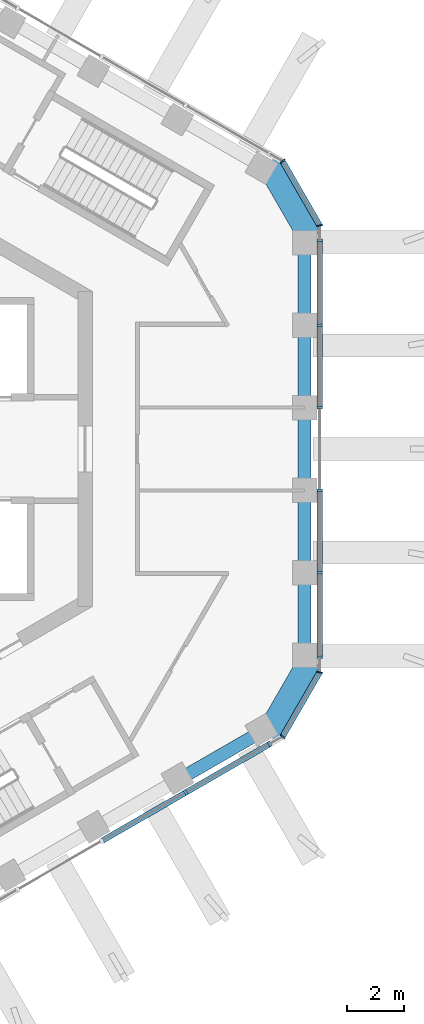
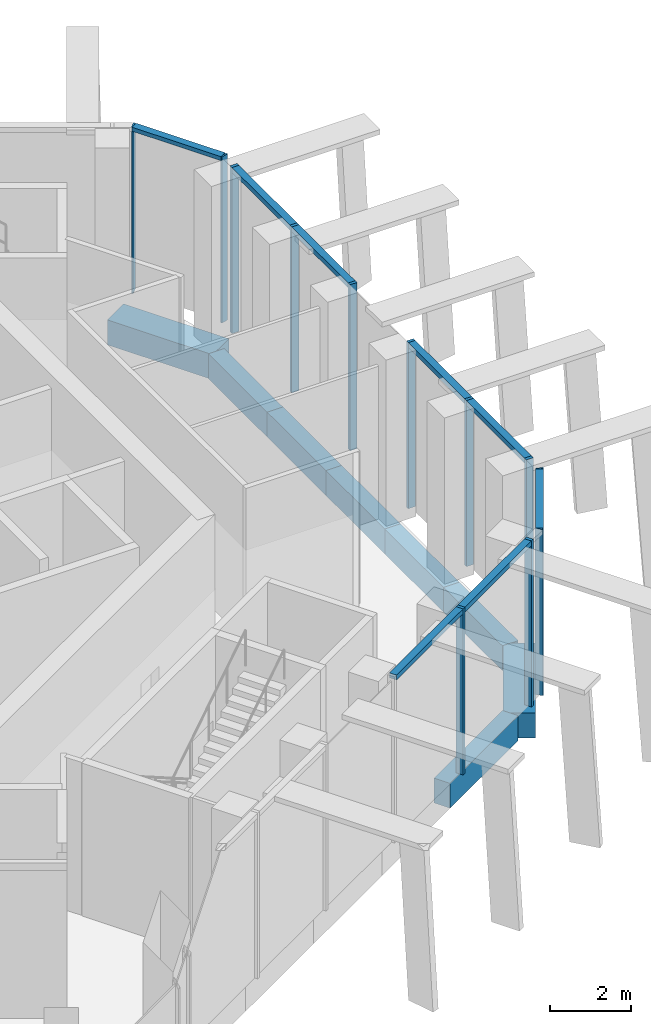
# One storey, part 4 of 17: 17 members, 8 beams, 4 elements without a shape of their own.
"""IFC4 building model written with IfcOpenShell, lengths in metres."""

from ifc_helpers import new_model, si_unit, direction, frame, origin, origin_2d, place, context, subcontext, project, spatial, rectangle, extrude, material, layer, layer_set, material_profile, profile_set, type_object, element, aggregate, save


model = new_model("IFC4")

# Units and contexts
model_context = context("Model", 3, precision=1e-05, world=origin(), true_north=direction((0.0, 1.0)))
body_context = subcontext(model_context, "Body", "Model", "MODEL_VIEW")
ifc_project = project(units=[si_unit("LENGTHUNIT", "METRE"), si_unit("AREAUNIT", "SQUARE_METRE"), si_unit("VOLUMEUNIT", "CUBIC_METRE"), si_unit("PLANEANGLEUNIT", "RADIAN"), si_unit("MASSUNIT", "GRAM", prefix="KILO")], contexts=[model_context])

# Site, building, storey
site_placement = place(None, origin())
site = spatial("IfcSite", under=ifc_project, at=site_placement, CompositionType="ELEMENT")
building_placement = place(site_placement, origin())
building = spatial("IfcBuilding", under=site, at=building_placement, Name="Ayvan Gate Tower", CompositionType="ELEMENT")
storey_placement = place(building_placement, frame((0.0, 0.0, 257.89990234375)))
storey = spatial("IfcBuildingStorey", under=building, at=storey_placement, Name="L69", CompositionType="ELEMENT", Elevation=257.89990234375)

# Beams
ifc_material_1 = material(Name="Concrete C40/50", Category="concrete")
ifc_material_profile_1 = material_profile(ifc_material_1, rectangle(XDim=0.800048828125, YDim=0.75, at=origin_2d()), Name="RC 800x750")
ifc_profile_set_1 = profile_set([ifc_material_profile_1], Name="Concrete C40/50")
beam_type_1 = type_object("IfcBeamType", Name="Corner spandrel beam RC 800x750 C40/50", PredefinedType="BEAM", material=ifc_profile_set_1)
for number, where, z_axis, x_axis, name in (
    (1, (17.078125, 7.357421875, -0.77490234375), (-0.499990139034, 0.866031096941, 0.0), (-0.866031096941, -0.499990139034, 0.0), "SB-L69-6"),
    (2, (15.578125, -9.95556640625, -0.77490234375), (0.499990139034, 0.866031096941, 0.0), (-0.866031096941, 0.499990139034, 0.0), "SB-L69-36"),
):
    element("IfcBeam", number, at=place(storey_placement, frame(where, z_axis=z_axis, x_axis=x_axis)), inside=storey, type_object=beam_type_1, Name=name, PredefinedType="BEAM", context=body_context, shape_type="SweptSolid", body=[
        extrude(rectangle(XDim=0.800048828125, YDim=0.75, at=origin_2d()), origin(), (0.0, 0.0, 1.0), 3.0),
    ])
ifc_material_profile_2 = material_profile(ifc_material_1, rectangle(XDim=0.449951171875, YDim=0.75, at=origin_2d()), Name="RC 450x750")
ifc_profile_set_2 = profile_set([ifc_material_profile_2], Name="Concrete C40/50")
beam_type_2 = type_object("IfcBeamType", Name="Spandrel beam RC 450x750 C40/50", PredefinedType="BEAM", material=ifc_profile_set_2)
beam_1_placement = place(storey_placement, frame((16.887451171875, -7.24755859375, -0.77490234375), z_axis=(0.0, 1.0, 0.0), x_axis=(-1.0, 0.0, 0.0)))
element("IfcBeam", 3, at=beam_1_placement, inside=storey, type_object=beam_type_2, Name="SB-L69-1", PredefinedType="BEAM", context=body_context, shape_type="SweptSolid", body=[
    extrude(rectangle(XDim=0.449951171875, YDim=0.75, at=origin_2d()), origin(), (0.0, 0.0, 1.0), 2.899169921875),
])
for number, where, z_axis, x_axis, name in (
    (4, (16.887451171875, -4.348388671875, -0.77490234375), (0.0, 1.0, 0.0), (-1.0, 0.0, 0.0), "SB-L69-2"),
    (5, (16.887451171875, -1.449462890625, -0.77490234375), (0.0, 1.0, 0.0), (-1.0, 0.0, 0.0), "SB-L69-3"),
    (6, (16.887451171875, 1.449462890625, -0.77490234375), (0.0, 1.0, 0.0), (-1.0, 0.0, 0.0), "SB-L69-4"),
):
    element("IfcBeam", number, at=place(storey_placement, frame(where, z_axis=z_axis, x_axis=x_axis)), inside=storey, type_object=beam_type_2, Name=name, PredefinedType="BEAM", context=body_context, shape_type="SweptSolid", body=[
        extrude(rectangle(XDim=0.449951171875, YDim=0.75, at=origin_2d()), origin(), (0.0, 0.0, 1.0), 2.89892578125),
    ])
beam_2_placement = place(storey_placement, frame((16.887451171875, 4.348388671875, -0.77490234375), z_axis=(0.0, 1.0, 0.0), x_axis=(-1.0, 0.0, 0.0)))
element("IfcBeam", 7, at=beam_2_placement, inside=storey, type_object=beam_type_2, Name="SB-L69-5", PredefinedType="BEAM", context=body_context, shape_type="SweptSolid", body=[
    extrude(rectangle(XDim=0.449951171875, YDim=0.75, at=origin_2d()), origin(), (0.0, 0.0, 1.0), 2.899169921875),
])
beam_3_placement = place(storey_placement, frame((12.4765625, -11.526123046875, -0.77490234375), z_axis=(0.866048906135, 0.499959290525, 0.0), x_axis=(-0.499959290525, 0.866048906135, 0.0)))
element("IfcBeam", 8, at=beam_3_placement, inside=storey, type_object=beam_type_2, Name="SB-L69-35", PredefinedType="BEAM", context=body_context, shape_type="SweptSolid", body=[
    extrude(rectangle(XDim=0.449951171875, YDim=0.75, at=origin_2d()), origin(), (0.0, 0.0, 1.0), 3.361083984375),
])

# Curtain wall, members
ifc_material_2 = material(Name="Bronze anodised aluminium", Category="aluminium")
ifc_layer_1 = layer(ifc_material_2, 0.199951171875)
ifc_layer_set_1 = layer_set([ifc_layer_1], Name="Bronze anodised aluminium")
curtain_wall_type_1 = type_object("IfcCurtainWallType", Name="Stick curtain wall CW-5", PredefinedType="NOTDEFINED", material=ifc_layer_set_1)
curtain_wall_1_placement = place(storey_placement, origin())
curtain_wall_1 = element("IfcCurtainWall", 9, at=curtain_wall_1_placement, inside=storey, type_object=curtain_wall_type_1, Name="Stick curtain wall CW-5 L69", PredefinedType="NOTDEFINED")
ifc_material_profile_3 = material_profile(ifc_material_2, rectangle(XDim=0.199951171875, YDim=0.090087890625, at=origin_2d()), Name="Stick curtain wall CW-5 mullion 200 x 90")
ifc_profile_set_3 = profile_set([ifc_material_profile_3], Name="Bronze anodised aluminium")
member_type_1 = type_object("IfcMemberType", Name="Stick curtain wall CW-5 mullion 200 x 90", PredefinedType="MULLION", material=ifc_profile_set_3)
member_1_placement = place(storey_placement, frame((12.74951171875, -11.959228515625, 0.0), z_axis=(0.0, 0.0, 1.0), x_axis=(0.5, -0.866025403784, 0.0)))
member_1 = element("IfcMember", 10, at=member_1_placement, type_object=member_type_1, Name="CW-5 mullion 5", PredefinedType="MULLION", context=body_context, shape_type="SweptSolid", body=[
    extrude(rectangle(XDim=0.199951171875, YDim=0.090087890625, at=origin_2d()), origin(), (0.0, 0.0, 1.0), 5.0),
])
member_2_placement = place(storey_placement, frame((15.6708984375, -10.2724609375, 0.0), z_axis=(0.0, 0.0, 1.0), x_axis=(0.5, -0.866025403784, 0.0)))
member_2 = element("IfcMember", 11, at=member_2_placement, type_object=member_type_1, Name="CW-5 mullion 6", PredefinedType="MULLION", context=body_context, shape_type="SweptSolid", body=[
    extrude(rectangle(XDim=0.199951171875, YDim=0.090087890625, at=origin_2d()), origin(), (0.0, 0.0, 1.0), 5.0),
])

curtain_wall_2_placement = place(storey_placement, origin())
curtain_wall_2 = element("IfcCurtainWall", 12, at=curtain_wall_2_placement, inside=storey, type_object=curtain_wall_type_1, Name="Stick curtain wall CW-5 L69", PredefinedType="NOTDEFINED")
member_3_placement = place(storey_placement, frame((17.41259765625, -7.256103515625, 0.0), z_axis=(0.0, 0.0, 1.0), x_axis=(1.0, 0.0, 0.0)))
member_3 = element("IfcMember", 13, at=member_3_placement, type_object=member_type_1, Name="CW-5 mullion 1", PredefinedType="MULLION", context=body_context, shape_type="SweptSolid", body=[
    extrude(rectangle(XDim=0.199951171875, YDim=0.090087890625, at=origin_2d()), origin(), (0.0, 0.0, 1.0), 5.0),
])
member_4_placement = place(storey_placement, frame((17.41259765625, -4.30908203125, 0.0), z_axis=(0.0, 0.0, 1.0), x_axis=(1.0, 0.0, 0.0)))
member_4 = element("IfcMember", 14, at=member_4_placement, type_object=member_type_1, Name="CW-5 mullion 2", PredefinedType="MULLION", context=body_context, shape_type="SweptSolid", body=[
    extrude(rectangle(XDim=0.199951171875, YDim=0.090087890625, at=origin_2d()), origin(), (0.0, 0.0, 1.0), 5.0),
])
member_5_placement = place(storey_placement, frame((17.41259765625, -1.43603515625, 0.0), z_axis=(0.0, 0.0, 1.0), x_axis=(1.0, 0.0, 0.0)))
member_5 = element("IfcMember", 15, at=member_5_placement, type_object=member_type_1, Name="CW-5 mullion 3", PredefinedType="MULLION", context=body_context, shape_type="SweptSolid", body=[
    extrude(rectangle(XDim=0.199951171875, YDim=0.090087890625, at=origin_2d()), origin(), (0.0, 0.0, 1.0), 5.0),
])
member_6_placement = place(storey_placement, frame((17.41259765625, 1.43603515625, 0.0), z_axis=(0.0, 0.0, 1.0), x_axis=(1.0, 0.0, 0.0)))
member_6 = element("IfcMember", 16, at=member_6_placement, type_object=member_type_1, Name="CW-5 mullion 4", PredefinedType="MULLION", context=body_context, shape_type="SweptSolid", body=[
    extrude(rectangle(XDim=0.199951171875, YDim=0.090087890625, at=origin_2d()), origin(), (0.0, 0.0, 1.0), 5.0),
])
member_7_placement = place(storey_placement, frame((17.41259765625, 4.30908203125, 0.0), z_axis=(0.0, 0.0, 1.0), x_axis=(1.0, 0.0, 0.0)))
member_7 = element("IfcMember", 17, at=member_7_placement, type_object=member_type_1, Name="CW-5 mullion 5", PredefinedType="MULLION", context=body_context, shape_type="SweptSolid", body=[
    extrude(rectangle(XDim=0.199951171875, YDim=0.090087890625, at=origin_2d()), origin(), (0.0, 0.0, 1.0), 5.0),
])
member_8_placement = place(storey_placement, frame((17.41259765625, 7.256103515625, 0.0), z_axis=(0.0, 0.0, 1.0), x_axis=(1.0, 0.0, 0.0)))
member_8 = element("IfcMember", 18, at=member_8_placement, type_object=member_type_1, Name="CW-5 mullion 6", PredefinedType="MULLION", context=body_context, shape_type="SweptSolid", body=[
    extrude(rectangle(XDim=0.199951171875, YDim=0.090087890625, at=origin_2d()), origin(), (0.0, 0.0, 1.0), 5.0),
])

# Member
ifc_material_profile_4 = material_profile(ifc_material_2, rectangle(XDim=0.199951171875, YDim=0.14990234375, at=origin_2d()), Name="Stick curtain wall CW-5 transom 200 x 150")
ifc_profile_set_4 = profile_set([ifc_material_profile_4], Name="Bronze anodised aluminium")
member_type_2 = type_object("IfcMemberType", Name="Stick curtain wall CW-5 transom 200 x 150", PredefinedType="USERDEFINED", material=ifc_profile_set_4)
member_9_placement = place(storey_placement, frame((9.86572265625, -13.624267578125, 4.925048828125), z_axis=(0.866013334258, 0.500020904451, 0.0), x_axis=(-0.500020904451, 0.866013334258, 0.0)))
member_9 = element("IfcMember", 19, at=member_9_placement, type_object=member_type_2, Name="CW-5 transom 2", ObjectType="TRANSOM", PredefinedType="USERDEFINED", context=body_context, shape_type="SweptSolid", body=[
    extrude(rectangle(XDim=0.199951171875, YDim=0.14990234375, at=origin_2d()), origin(), (0.0, 0.0, 1.0), 6.703369140625),
])

aggregate(curtain_wall_1, [member_1, member_2, member_9])

member_10_placement = place(storey_placement, frame((17.41259765625, -7.256103515625, 4.925048828125), z_axis=(0.0, 1.0, 0.0), x_axis=(-1.0, 0.0, 0.0)))
member_10 = element("IfcMember", 20, at=member_10_placement, type_object=member_type_2, Name="CW-5 transom 1", ObjectType="TRANSOM", PredefinedType="USERDEFINED", context=body_context, shape_type="SweptSolid", body=[
    extrude(rectangle(XDim=0.199951171875, YDim=0.14990234375, at=origin_2d()), origin(), (0.0, 0.0, 1.0), 5.775146484375),
])

member_11_placement = place(storey_placement, frame((17.41259765625, 1.48095703125, 4.925048828125), z_axis=(0.0, 1.0, 0.0), x_axis=(-1.0, 0.0, 0.0)))
member_11 = element("IfcMember", 21, at=member_11_placement, type_object=member_type_2, Name="CW-5 transom 2", ObjectType="TRANSOM", PredefinedType="USERDEFINED", context=body_context, shape_type="SweptSolid", body=[
    extrude(rectangle(XDim=0.199951171875, YDim=0.14990234375, at=origin_2d()), origin(), (0.0, 0.0, 1.0), 5.775146484375),
])

aggregate(curtain_wall_2, [member_3, member_4, member_5, member_6, member_7, member_8, member_10, member_11])

# Curtain wall, members
ifc_layer_2 = layer(ifc_material_2, 0.199951171875)
ifc_layer_set_2 = layer_set([ifc_layer_2], Name="Bronze anodised aluminium")
curtain_wall_type_2 = type_object("IfcCurtainWallType", Name="Stick curtain wall CW-6", PredefinedType="NOTDEFINED", material=ifc_layer_set_2)
curtain_wall_3_placement = place(storey_placement, origin())
curtain_wall_3 = element("IfcCurtainWall", 22, at=curtain_wall_3_placement, inside=storey, type_object=curtain_wall_type_2, Name="Stick curtain wall CW-6 L69", PredefinedType="NOTDEFINED")
ifc_material_profile_5 = material_profile(ifc_material_2, rectangle(XDim=0.199951171875, YDim=0.050048828125, at=origin_2d()), Name="Stick curtain wall CW-6 mullion 200 x 50")
ifc_profile_set_5 = profile_set([ifc_material_profile_5], Name="Bronze anodised aluminium")
member_type_3 = type_object("IfcMemberType", Name="Stick curtain wall CW-6 mullion 200 x 50", PredefinedType="MULLION", material=ifc_profile_set_5)
member_12_placement = place(storey_placement, frame((16.12109375, -10.012451171875, 0.0), z_axis=(0.0, 0.0, 1.0), x_axis=(0.707106781187, -0.707106781187, 0.0)))
member_12 = element("IfcMember", 23, at=member_12_placement, type_object=member_type_3, Name="CW-6 mullion 2", PredefinedType="MULLION", context=body_context, shape_type="SweptSolid", body=[
    extrude(rectangle(XDim=0.199951171875, YDim=0.050048828125, at=origin_2d()), origin(), (0.0, 0.0, 1.0), 5.0),
])
member_13_placement = place(storey_placement, frame((17.41259765625, -7.776123046875, 0.0), z_axis=(0.0, 0.0, 1.0), x_axis=(0.965925826289, -0.258819045103, 0.0)))
member_13 = element("IfcMember", 24, at=member_13_placement, type_object=member_type_3, Name="CW-6 mullion 3", PredefinedType="MULLION", context=body_context, shape_type="SweptSolid", body=[
    extrude(rectangle(XDim=0.199951171875, YDim=0.050048828125, at=origin_2d()), origin(), (0.0, 0.0, 1.0), 5.0),
])

curtain_wall_4_placement = place(storey_placement, origin())
curtain_wall_4 = element("IfcCurtainWall", 25, at=curtain_wall_4_placement, inside=storey, type_object=curtain_wall_type_2, Name="Stick curtain wall CW-6 L69", PredefinedType="NOTDEFINED")
member_14_placement = place(storey_placement, frame((17.41259765625, 7.776123046875, 0.0), z_axis=(0.0, 0.0, 1.0), x_axis=(0.965925826289, 0.258819045103, 0.0)))
member_14 = element("IfcMember", 26, at=member_14_placement, type_object=member_type_3, Name="CW-6 mullion 2", PredefinedType="MULLION", context=body_context, shape_type="SweptSolid", body=[
    extrude(rectangle(XDim=0.199951171875, YDim=0.050048828125, at=origin_2d()), origin(), (0.0, 0.0, 1.0), 5.0),
])
member_15_placement = place(storey_placement, frame((16.12109375, 10.012451171875, 0.0), z_axis=(0.0, 0.0, 1.0), x_axis=(0.707106781187, 0.707106781187, 0.0)))
member_15 = element("IfcMember", 27, at=member_15_placement, type_object=member_type_3, Name="CW-6 mullion 3", PredefinedType="MULLION", context=body_context, shape_type="SweptSolid", body=[
    extrude(rectangle(XDim=0.199951171875, YDim=0.050048828125, at=origin_2d()), origin(), (0.0, 0.0, 1.0), 5.0),
])

# Member
ifc_material_profile_6 = material_profile(ifc_material_2, rectangle(XDim=0.199951171875, YDim=0.1201171875, at=origin_2d()), Name="Stick curtain wall CW-6 transom 200 x 120")
ifc_profile_set_6 = profile_set([ifc_material_profile_6], Name="Bronze anodised aluminium")
member_type_4 = type_object("IfcMemberType", Name="Stick curtain wall CW-6 transom 200 x 120", PredefinedType="USERDEFINED", material=ifc_profile_set_6)
member_16_placement = place(storey_placement, frame((16.1337890625, -9.990966796875, 4.940185546875), z_axis=(0.499933856714, 0.866063588261, 0.0), x_axis=(-0.866063588261, 0.499933856714, 0.0)))
member_16 = element("IfcMember", 28, at=member_16_placement, type_object=member_type_4, Name="CW-6 transom 2", ObjectType="TRANSOM", PredefinedType="USERDEFINED", context=body_context, shape_type="SweptSolid", body=[
    extrude(rectangle(XDim=0.199951171875, YDim=0.1201171875, at=origin_2d()), origin(), (0.0, 0.0, 1.0), 2.532470703125),
])

aggregate(curtain_wall_3, [member_12, member_13, member_16])

member_17_placement = place(storey_placement, frame((17.39990234375, 7.797607421875, 4.940185546875), z_axis=(-0.499933856714, 0.866063588261, 0.0), x_axis=(-0.866063588261, -0.499933856714, 0.0)))
member_17 = element("IfcMember", 29, at=member_17_placement, type_object=member_type_4, Name="CW-6 transom 1", ObjectType="TRANSOM", PredefinedType="USERDEFINED", context=body_context, shape_type="SweptSolid", body=[
    extrude(rectangle(XDim=0.199951171875, YDim=0.1201171875, at=origin_2d()), origin(), (0.0, 0.0, 1.0), 2.532470703125),
])

aggregate(curtain_wall_4, [member_14, member_15, member_17])

save(model, "model.ifc")
